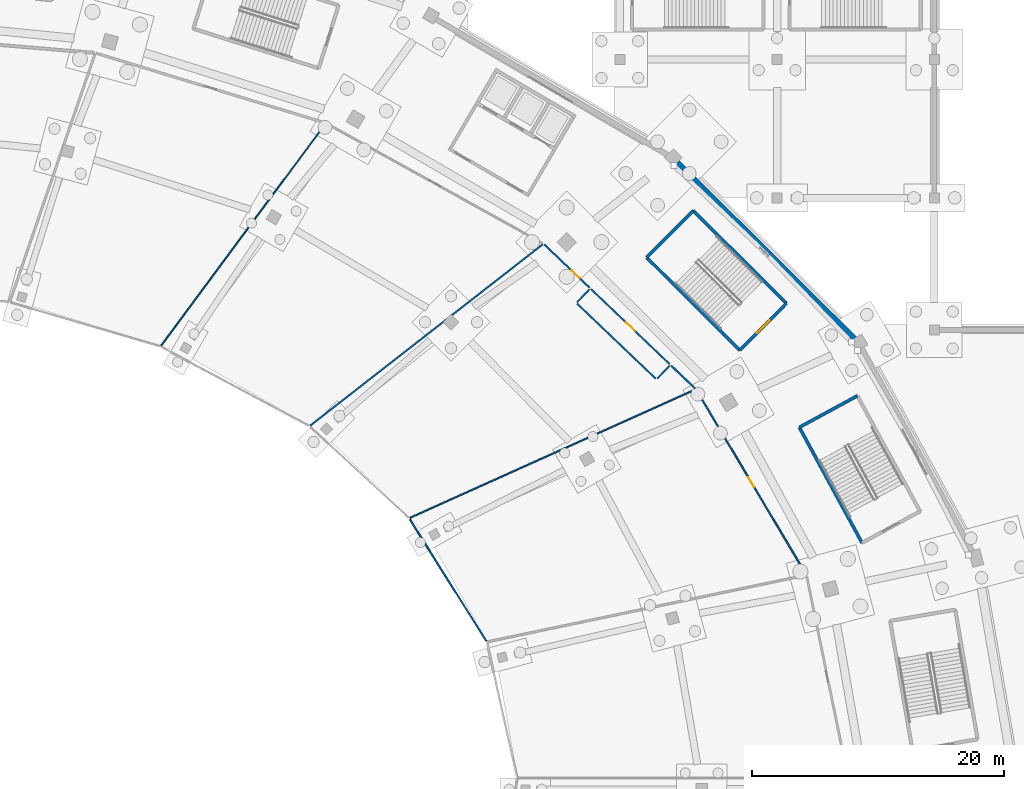
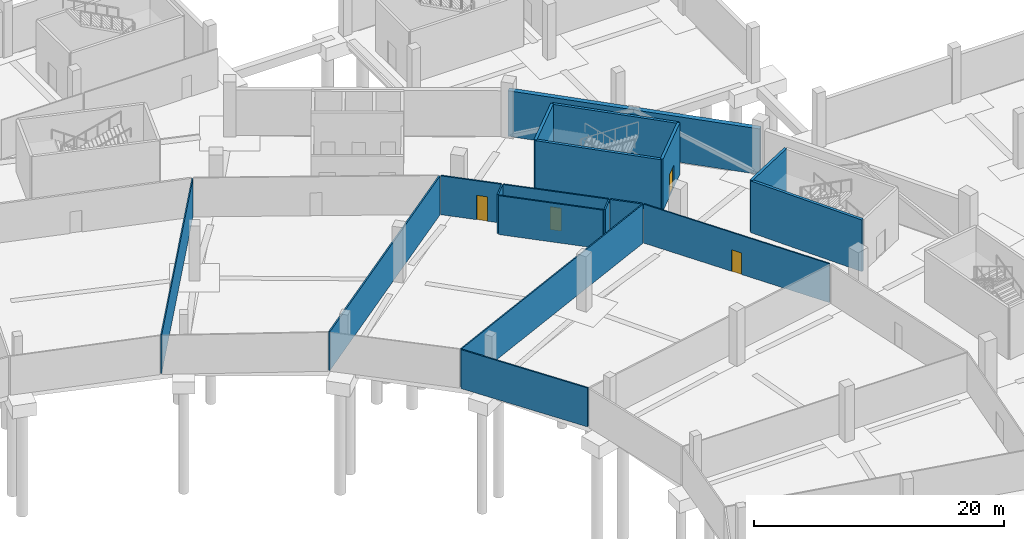
# One storey, part 43 of 74: 18 walls, 4 doors, 4 openings.
"""IFC4 building model written with IfcOpenShell, lengths in metres."""

from ifc_helpers import new_model, si_unit, direction, frame, frame_2d, origin, place, context, subcontext, project, spatial, rectangle, extrude, material, layer, layer_set, type_object, element, fill, save


model = new_model("IFC4")

# Units and contexts
model_context = context("Model", 3, precision=1e-05, world=origin(), true_north=direction((0.0, 1.0)))
body_context = subcontext(model_context, "Body", "Model", "MODEL_VIEW")
ifc_project = project(units=[si_unit("LENGTHUNIT", "METRE"), si_unit("AREAUNIT", "SQUARE_METRE"), si_unit("VOLUMEUNIT", "CUBIC_METRE"), si_unit("PLANEANGLEUNIT", "RADIAN"), si_unit("MASSUNIT", "GRAM", prefix="KILO")], contexts=[model_context])

# Site, building, storey
site_placement = place(None, origin())
site = spatial("IfcSite", under=ifc_project, at=site_placement, CompositionType="ELEMENT")
building_placement = place(site_placement, origin())
building = spatial("IfcBuilding", under=site, at=building_placement, Name="Zlatoyarsky Gate Stadium", CompositionType="ELEMENT")
storey_placement = place(building_placement, frame((0.0, 0.0, -5.39990234375)))
storey = spatial("IfcBuildingStorey", under=building, at=storey_placement, Name="B1", CompositionType="ELEMENT", Elevation=-5.39990234375)

# Wall, opening, door
ifc_material_1 = material(Name="Moisture-resistant masonry partition", Category="masonry")
ifc_layer_1 = layer(ifc_material_1, 0.139892578125)
ifc_layer_set_1 = layer_set([ifc_layer_1], Name="Moisture-resistant masonry partition")
wall_type_1 = type_object("IfcWallType", Name="ATHLETE CHANGING BLOCK PARTITION 140", PredefinedType="PARTITIONING", material=ifc_layer_set_1)
wall_1_placement = place(storey_placement, frame((170.092041015625, 119.864990234375, 0.0), z_axis=(0.0, 0.0, 1.0), x_axis=(-0.723287562658, 0.690546958363, 0.0)))
wall_1 = element("IfcWall", 1, at=wall_1_placement, inside=storey, type_object=wall_type_1, Name="B1 interior partition PRT-B1-ICC-02", PredefinedType="PARTITIONING", context=body_context, shape_type="SweptSolid", body=[
    extrude(rectangle(XDim=4.9736328125, YDim=0.139892578125, at=frame_2d((2.48681640625, 0.0))), origin(), (0.0, 0.0, 1.0), 3.7998046875),
])
opening_1_placement = place(wall_1_placement, frame((1.10009765625, 0.0, 0.0)))
opening_1 = element("IfcOpeningElement", 2, at=opening_1_placement, cuts=wall_1, Name="Opening D-B1-013", PredefinedType="OPENING", context=body_context, shape_type="SweptSolid", body=[
    extrude(rectangle(XDim=0.89990234375, YDim=2.3798828125, at=frame_2d((0.449951171875, 1.18994140625))), frame((0.0, 0.079833984375, 0.0), z_axis=(0.0, -1.0, 0.0), x_axis=(1.0, 0.0, 0.0)), (0.0, 0.0, 1.0), 0.159912109375),
])
ifc_material_2 = material(Name="Powder-coated steel fire door", Category="steel")
door_type_1 = type_object("IfcDoorType", Name="ACOUSTIC INTERIOR DOOR 900X2380", OperationType="NOTDEFINED", PredefinedType="DOOR", material=ifc_material_2)
door_1_placement = place(opening_1_placement, origin())
door_1 = element("IfcDoor", 3, at=door_1_placement, inside=storey, type_object=door_type_1, Name="B1 room door D-B1-013", OperationType="SINGLE_SWING_RIGHT", OverallHeight=2.3798828125, OverallWidth=0.89990234375, PredefinedType="DOOR", context=body_context, shape_type="SweptSolid", body=[
    extrude(rectangle(XDim=0.89990234375, YDim=2.3798828125, at=frame_2d((0.449951171875, 1.18994140625))), frame((0.0, 0.02490234375, 0.0), z_axis=(0.0, -1.0, 0.0), x_axis=(1.0, 0.0, 0.0)), (0.0, 0.0, 1.0), 0.050048828125),
])
fill(opening_1, door_1)

# Walls
ifc_material_3 = material(Name="Metal-stud gypsum partition", Category="gypsum")
ifc_layer_2 = layer(ifc_material_3, 0.14990234375)
ifc_layer_set_2 = layer_set([ifc_layer_2], Name="Metal-stud gypsum partition")
wall_type_2 = type_object("IfcWallType", Name="CONCOURSE CORRIDOR PARTITION 150", PredefinedType="PARTITIONING", material=ifc_layer_set_2)
wall_2_placement = place(storey_placement, frame((178.482421875, 111.85498046875, 0.0), z_axis=(0.0, 0.0, 1.0), x_axis=(-0.723347113938, 0.690484578218, 0.0)))
element("IfcWall", 4, at=wall_2_placement, inside=storey, type_object=wall_type_2, Name="B1 interior partition PRT-B1-WCL-02", PredefinedType="PARTITIONING", context=body_context, shape_type="SweptSolid", body=[
    extrude(rectangle(XDim=2.6298828125, YDim=0.14990234375, at=frame_2d((1.31494140625, 0.0))), origin(), (0.0, 0.0, 1.0), 3.7998046875),
])
ifc_material_4 = material(Name="Concrete C35/45", Category="concrete")
ifc_layer_3 = layer(ifc_material_4, 0.419921875)
ifc_layer_set_3 = layer_set([ifc_layer_3], Name="Concrete C35/45")
wall_type_3 = type_object("IfcWallType", Name="CONCRETE BASEMENT RETAINING WALL 420", PredefinedType="SOLIDWALL", material=ifc_layer_set_3)
wall_3_placement = place(storey_placement, frame((191.4970703125, 115.47509765625, 0.0), z_axis=(0.0, 0.0, 1.0), x_axis=(-0.708961581499, 0.705247102765, 0.0)))
element("IfcWall", 5, at=wall_3_placement, inside=storey, type_object=wall_type_3, Name="B1 perimeter retaining wall sector 02", PredefinedType="SOLIDWALL", context=body_context, shape_type="SweptSolid", body=[
    extrude(rectangle(XDim=20.83544921875, YDim=0.419921875, at=frame_2d((10.417724609375, 0.0))), origin(), (0.0, 0.0, 1.0), 4.449951171875),
])

# Wall, opening, door
ifc_material_5 = material(Name="Concrete C40/50", Category="concrete")
ifc_layer_4 = layer(ifc_material_5, 0.25)
ifc_layer_set_4 = layer_set([ifc_layer_4], Name="Concrete C40/50")
wall_type_4 = type_object("IfcWallType", Name="CONCRETE STAIR CORE SHEAR WALL 250", PredefinedType="SHEAR", material=ifc_layer_set_4)
wall_4_placement = place(storey_placement, frame((182.038818359375, 114.89794921875, 0.0), z_axis=(0.0, 0.0, 1.0), x_axis=(0.705314141126, 0.708894888067, 0.0)))
wall_4 = element("IfcWall", 6, at=wall_4_placement, inside=storey, type_object=wall_type_4, Name="ST-02 B1 stair core entrance shear wall", PredefinedType="SHEAR", context=body_context, shape_type="SweptSolid", body=[
    extrude(rectangle(XDim=5.25, YDim=0.25, at=frame_2d((2.625, 0.0))), origin(), (0.0, 0.0, 1.0), 5.0498046875),
])
opening_2_placement = place(wall_4_placement, frame((1.925048828125, 0.0, 0.0)))
opening_2 = element("IfcOpeningElement", 7, at=opening_2_placement, cuts=wall_4, Name="Opening SD-ST-02-B1", PredefinedType="OPENING", context=body_context, shape_type="SweptSolid", body=[
    extrude(rectangle(XDim=1.39990234375, YDim=2.199951171875, at=frame_2d((0.699951171875, 1.10009765625))), frame((0.0, 0.135009765625, 0.0), z_axis=(0.0, -1.0, 0.0), x_axis=(1.0, 0.0, 0.0)), (0.0, 0.0, 1.0), 0.27001953125),
])
door_type_2 = type_object("IfcDoorType", Name="STAIR CORE FIRE EXIT DOOR 1400X2200", OperationType="NOTDEFINED", PredefinedType="DOOR", material=ifc_material_2)
door_2_placement = place(opening_2_placement, frame((1.39990234375, 0.0, 0.0), z_axis=(0.0, 0.0, 1.0), x_axis=(-1.0, 0.0, 0.0)))
door_2 = element("IfcDoor", 8, at=door_2_placement, inside=storey, type_object=door_type_2, Name="ST-02 B1 stair fire door", OperationType="SINGLE_SWING_LEFT", OverallHeight=2.199951171875, OverallWidth=1.39990234375, PredefinedType="DOOR", context=body_context, shape_type="SweptSolid", body=[
    extrude(rectangle(XDim=1.39990234375, YDim=2.199951171875, at=frame_2d((0.699951171875, 1.10009765625))), frame((0.0, 0.02490234375, 0.0), z_axis=(0.0, -1.0, 0.0), x_axis=(1.0, 0.0, 0.0)), (0.0, 0.0, 1.0), 0.050048828125),
])
fill(opening_2, door_2)

# Walls
wall_5_placement = place(storey_placement, frame((185.74169921875, 118.61962890625, 0.0), z_axis=(0.0, 0.0, 1.0), x_axis=(-0.708891762409, 0.705317282639, 0.0)))
element("IfcWall", 9, at=wall_5_placement, inside=storey, type_object=wall_type_4, Name="ST-02 B1 stair core left shear wall", PredefinedType="SHEAR", context=body_context, shape_type="SweptSolid", body=[
    extrude(rectangle(XDim=10.449951171875, YDim=0.25, at=frame_2d((5.22509765625, 0.0))), origin(), (0.0, 0.0, 1.0), 5.0498046875),
])
wall_6_placement = place(storey_placement, frame((178.333740234375, 125.990234375, 0.0), z_axis=(0.0, 0.0, 1.0), x_axis=(-0.705314141126, -0.708894888067, 0.0)))
element("IfcWall", 10, at=wall_6_placement, inside=storey, type_object=wall_type_4, Name="ST-02 B1 stair core far shear wall", PredefinedType="SHEAR", context=body_context, shape_type="SweptSolid", body=[
    extrude(rectangle(XDim=5.25, YDim=0.25, at=frame_2d((2.625, 0.0))), origin(), (0.0, 0.0, 1.0), 5.0498046875),
])
wall_7_placement = place(storey_placement, frame((174.630859375, 122.2685546875, 0.0), z_axis=(0.0, 0.0, 1.0), x_axis=(0.708891762409, -0.705317282639, 0.0)))
element("IfcWall", 11, at=wall_7_placement, inside=storey, type_object=wall_type_4, Name="ST-02 B1 stair core right shear wall", PredefinedType="SHEAR", context=body_context, shape_type="SweptSolid", body=[
    extrude(rectangle(XDim=10.449951171875, YDim=0.25, at=frame_2d((5.22509765625, 0.0))), origin(), (0.0, 0.0, 1.0), 5.0498046875),
])
wall_8_placement = place(storey_placement, frame((191.384765625, 111.268798828125, 0.0), z_axis=(0.0, 0.0, 1.0), x_axis=(-0.878961487093, -0.47689275965, 0.0)))
element("IfcWall", 12, at=wall_8_placement, inside=storey, type_object=wall_type_4, Name="ST-13 B1 stair core far shear wall", PredefinedType="SHEAR", context=body_context, shape_type="SweptSolid", body=[
    extrude(rectangle(XDim=5.25, YDim=0.25, at=frame_2d((2.625, 0.0))), origin(), (0.0, 0.0, 1.0), 5.0498046875),
])
wall_9_placement = place(storey_placement, frame((186.770263671875, 108.76513671875, 0.0), z_axis=(0.0, 0.0, 1.0), x_axis=(0.476876856974, -0.878970115125, 0.0)))
element("IfcWall", 13, at=wall_9_placement, inside=storey, type_object=wall_type_4, Name="ST-13 B1 stair core right shear wall", PredefinedType="SHEAR", context=body_context, shape_type="SweptSolid", body=[
    extrude(rectangle(XDim=10.4501953125, YDim=0.25, at=frame_2d((5.22509765625, 0.0))), origin(), (0.0, 0.0, 1.0), 5.0498046875),
])
ifc_layer_5 = layer(ifc_material_3, 0.110107421875)
ifc_layer_set_5 = layer_set([ifc_layer_5], Name="Metal-stud gypsum partition")
wall_type_5 = type_object("IfcWallType", Name="KIOSK SERVICE PARTITION 110", PredefinedType="PARTITIONING", material=ifc_layer_set_5)
wall_10_placement = place(storey_placement, frame((155.834228515625, 101.5703125, 0.0), z_axis=(0.0, 0.0, 1.0), x_axis=(0.911823751445, 0.410581838738, 0.0)))
element("IfcWall", 14, at=wall_10_placement, inside=storey, type_object=wall_type_5, Name="B1 interior partition PRT-B1-IRD-02", PredefinedType="PARTITIONING", context=body_context, shape_type="SweptSolid", body=[
    extrude(rectangle(XDim=24.820556640625, YDim=0.110107421875, at=frame_2d((12.41015625, 0.0))), origin(), (0.0, 0.0, 1.0), 3.7998046875),
])
ifc_layer_6 = layer(ifc_material_3, 0.10009765625)
ifc_layer_set_6 = layer_set([ifc_layer_6], Name="Metal-stud gypsum partition")
wall_type_6 = type_object("IfcWallType", Name="LIGHT STORAGE PARTITION 100", PredefinedType="PARTITIONING", material=ifc_layer_set_6)
wall_11_placement = place(storey_placement, frame((136.033447265625, 115.256591796875, 0.0), z_axis=(0.0, 0.0, 1.0), x_axis=(0.595115459559, 0.803640211658, 0.0)))
element("IfcWall", 15, at=wall_11_placement, inside=storey, type_object=wall_type_6, Name="B1 interior partition PRT-B1-IRD-04", PredefinedType="PARTITIONING", context=body_context, shape_type="SweptSolid", body=[
    extrude(rectangle(XDim=21.93017578125, YDim=0.10009765625, at=frame_2d((10.965087890625, 0.0))), origin(), (0.0, 0.0, 1.0), 3.7998046875),
])

# Wall, opening, door
ifc_layer_7 = layer(ifc_material_3, 0.1201171875)
ifc_layer_set_7 = layer_set([ifc_layer_7], Name="Metal-stud gypsum partition")
wall_type_7 = type_object("IfcWallType", Name="OFFICE AND PRESS PARTITION 120", PredefinedType="PARTITIONING", material=ifc_layer_set_7)
wall_12_placement = place(storey_placement, frame((187.294189453125, 97.091796875, 0.0), z_axis=(0.0, 0.0, 1.0), x_axis=(-0.51138201062, 0.859353500728, 0.0)))
wall_12 = element("IfcWall", 16, at=wall_12_placement, inside=storey, type_object=wall_type_7, Name="B1 interior partition PRT-B1-ICC-01", PredefinedType="PARTITIONING", context=body_context, shape_type="SweptSolid", body=[
    extrude(rectangle(XDim=17.02587890625, YDim=0.1201171875, at=frame_2d((8.512939453125, 0.0))), origin(), (0.0, 0.0, 1.0), 3.7998046875),
])
opening_3_placement = place(wall_12_placement, frame((8.06298828125, 0.0, 0.0)))
opening_3 = element("IfcOpeningElement", 17, at=opening_3_placement, cuts=wall_12, Name="Opening D-B1-005", PredefinedType="OPENING", context=body_context, shape_type="SweptSolid", body=[
    extrude(rectangle(XDim=0.89990234375, YDim=2.10009765625, at=frame_2d((0.449951171875, 1.050048828125))), frame((0.0, 0.070068359375, 0.0), z_axis=(0.0, -1.0, 0.0), x_axis=(1.0, 0.0, 0.0)), (0.0, 0.0, 1.0), 0.14013671875),
])
ifc_material_6 = material(Name="Solid-core oak veneer acoustic door", Category="wood")
door_type_3 = type_object("IfcDoorType", Name="ACOUSTIC INTERIOR DOOR 900X2100", OperationType="NOTDEFINED", PredefinedType="DOOR", material=ifc_material_6)
door_3_placement = place(opening_3_placement, origin())
door_3 = element("IfcDoor", 18, at=door_3_placement, inside=storey, type_object=door_type_3, Name="B1 room door D-B1-005", OperationType="SINGLE_SWING_RIGHT", OverallHeight=2.10009765625, OverallWidth=0.89990234375, PredefinedType="DOOR", context=body_context, shape_type="SweptSolid", body=[
    extrude(rectangle(XDim=0.89990234375, YDim=2.10009765625, at=frame_2d((0.449951171875, 1.050048828125))), frame((0.0, 0.02490234375, 0.0), z_axis=(0.0, -1.0, 0.0), x_axis=(1.0, 0.0, 0.0)), (0.0, 0.0, 1.0), 0.050048828125),
])
fill(opening_3, door_3)

# Wall
ifc_material_7 = material(Name="Moisture-resistant tile-backed partition", Category="gypsum")
ifc_layer_8 = layer(ifc_material_7, 0.1298828125)
ifc_layer_set_8 = layer_set([ifc_layer_8], Name="Moisture-resistant tile-backed partition")
wall_type_8 = type_object("IfcWallType", Name="SANITARY WET ROOM PARTITION 130", PredefinedType="PARTITIONING", material=ifc_layer_set_8)
wall_13_placement = place(storey_placement, frame((161.880615234375, 91.780517578125, 0.0), z_axis=(0.0, 0.0, 1.0), x_axis=(-0.531685138882, 0.846942095478, 0.0)))
element("IfcWall", 19, at=wall_13_placement, inside=storey, type_object=wall_type_8, Name="B1 interior partition PRT-B1-IRN-01", PredefinedType="PARTITIONING", context=body_context, shape_type="SweptSolid", body=[
    extrude(rectangle(XDim=11.4326171875, YDim=0.1298828125, at=frame_2d((5.71630859375, 0.0))), origin(), (0.0, 0.0, 1.0), 3.7998046875),
])

# Wall, opening, door
wall_14_placement = place(storey_placement, frame((176.45703125, 113.788330078125, 0.0), z_axis=(0.0, 0.0, 1.0), x_axis=(-0.723282965578, 0.69055177337, 0.0)))
wall_14 = element("IfcWall", 20, at=wall_14_placement, inside=storey, type_object=wall_type_8, Name="B1 interior partition PRT-B1-WC02-F", PredefinedType="PARTITIONING", context=body_context, shape_type="SweptSolid", body=[
    extrude(rectangle(XDim=8.630126953125, YDim=0.1298828125, at=frame_2d((4.31494140625, 0.0))), origin(), (0.0, 0.0, 1.0), 3.7998046875),
])
opening_4_placement = place(wall_14_placement, frame((3.8349609375, 0.0, 0.0)))
opening_4 = element("IfcOpeningElement", 21, at=opening_4_placement, cuts=wall_14, Name="Opening D-B1-008", PredefinedType="OPENING", context=body_context, shape_type="SweptSolid", body=[
    extrude(rectangle(XDim=0.9599609375, YDim=2.239990234375, at=frame_2d((0.47998046875, 1.1201171875))), frame((0.0, 0.074951171875, 0.0), z_axis=(0.0, -1.0, 0.0), x_axis=(1.0, 0.0, 0.0)), (0.0, 0.0, 1.0), 0.14990234375),
])
door_type_4 = type_object("IfcDoorType", Name="ACOUSTIC INTERIOR DOOR 960X2240", OperationType="NOTDEFINED", PredefinedType="DOOR", material=ifc_material_6)
door_4_placement = place(opening_4_placement, origin())
door_4 = element("IfcDoor", 22, at=door_4_placement, inside=storey, type_object=door_type_4, Name="B1 room door D-B1-008", OperationType="SINGLE_SWING_LEFT", OverallHeight=2.239990234375, OverallWidth=0.9599609375, PredefinedType="DOOR", context=body_context, shape_type="SweptSolid", body=[
    extrude(rectangle(XDim=0.9599609375, YDim=2.239990234375, at=frame_2d((0.47998046875, 1.1201171875))), frame((0.0, 0.02490234375, 0.0), z_axis=(0.0, -1.0, 0.0), x_axis=(1.0, 0.0, 0.0)), (0.0, 0.0, 1.0), 0.050048828125),
])
fill(opening_4, door_4)

# Walls
wall_15_placement = place(storey_placement, frame((175.352294921875, 112.631103515625, 0.0), z_axis=(0.0, 0.0, 1.0), x_axis=(-0.723310584954, 0.690522843716, 0.0)))
element("IfcWall", 23, at=wall_15_placement, inside=storey, type_object=wall_type_8, Name="B1 interior partition PRT-B1-WC02-B", PredefinedType="PARTITIONING", context=body_context, shape_type="SweptSolid", body=[
    extrude(rectangle(XDim=8.630126953125, YDim=0.1298828125, at=frame_2d((4.31494140625, 0.0))), origin(), (0.0, 0.0, 1.0), 3.7998046875),
])
wall_16_placement = place(storey_placement, frame((176.4599609375, 113.668212890625, 0.0), z_axis=(0.0, 0.0, 1.0), x_axis=(-0.690528527034, -0.723305159219, 0.0)))
element("IfcWall", 24, at=wall_16_placement, inside=storey, type_object=wall_type_8, Name="B1 interior partition PRT-B1-WC02-L", PredefinedType="PARTITIONING", context=body_context, shape_type="SweptSolid", body=[
    extrude(rectangle(XDim=1.43017578125, YDim=0.1298828125, at=frame_2d((0.715087890625, 0.0))), origin(), (0.0, 0.0, 1.0), 3.7998046875),
])
wall_17_placement = place(storey_placement, frame((170.0947265625, 119.744873046875, 0.0), z_axis=(0.0, 0.0, 1.0), x_axis=(-0.690524478899, -0.723309023891, 0.0)))
element("IfcWall", 25, at=wall_17_placement, inside=storey, type_object=wall_type_8, Name="B1 interior partition PRT-B1-WC02-R", PredefinedType="PARTITIONING", context=body_context, shape_type="SweptSolid", body=[
    extrude(rectangle(XDim=1.4296875, YDim=0.1298828125, at=frame_2d((0.71484375, 0.0))), origin(), (0.0, 0.0, 1.0), 3.7998046875),
])
wall_18_placement = place(storey_placement, frame((147.899658203125, 108.908935546875, 0.0), z_axis=(0.0, 0.0, 1.0), x_axis=(0.788645985872, 0.614847549371, 0.0)))
element("IfcWall", 26, at=wall_18_placement, inside=storey, type_object=wall_type_8, Name="B1 interior partition PRT-B1-IRD-03", PredefinedType="PARTITIONING", context=body_context, shape_type="SweptSolid", body=[
    extrude(rectangle(XDim=23.41552734375, YDim=0.1298828125, at=frame_2d((11.707763671875, 0.0))), origin(), (0.0, 0.0, 1.0), 3.7998046875),
])

save(model, "model.ifc")
